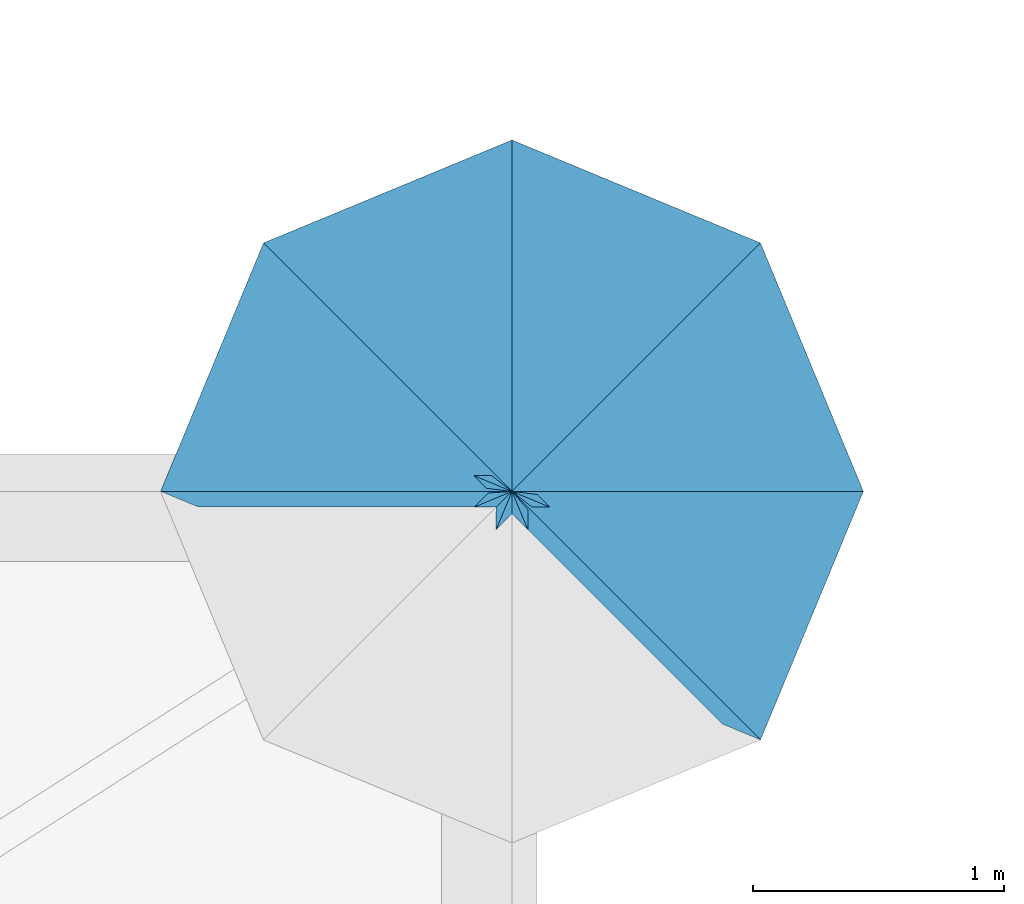
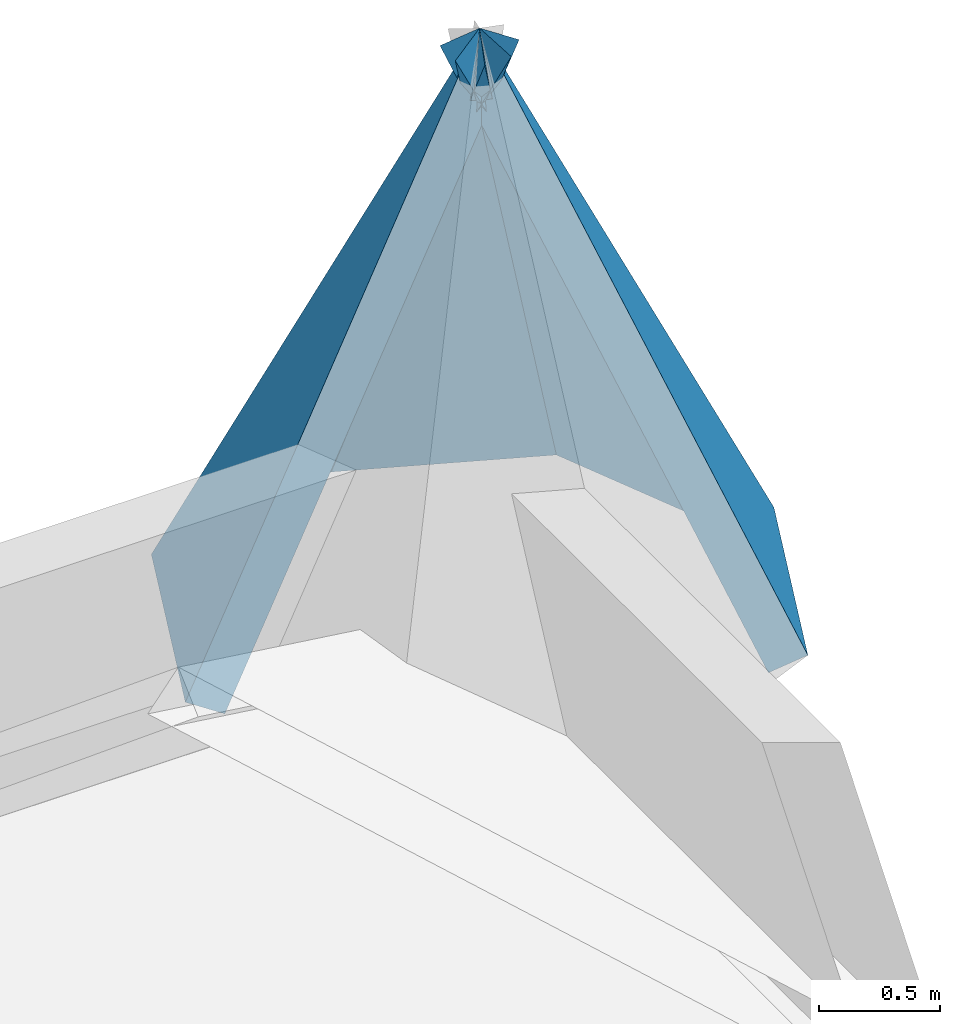
# One storey, part 26 of 28: 5 roofs.
"""IFC4 building model written with IfcOpenShell, lengths in metres."""

from ifc_helpers import new_model, si_unit, direction, frame, origin, place, context, subcontext, project, spatial, polyline, outline, extrude, material, layer, layer_set, type_object, element, save


model = new_model("IFC4")

# Units and contexts
model_context = context("Model", 3, precision=1e-05, world=origin(), true_north=direction((0.0, 1.0)))
body_context = subcontext(model_context, "Body", "Model", "MODEL_VIEW")
ifc_project = project(units=[si_unit("LENGTHUNIT", "METRE"), si_unit("AREAUNIT", "SQUARE_METRE"), si_unit("VOLUMEUNIT", "CUBIC_METRE"), si_unit("PLANEANGLEUNIT", "RADIAN"), si_unit("MASSUNIT", "GRAM", prefix="KILO")], contexts=[model_context])

# Site, building, storey
site_placement = place(None, origin())
site = spatial("IfcSite", under=ifc_project, at=site_placement, CompositionType="ELEMENT")
building_placement = place(site_placement, origin())
building = spatial("IfcBuilding", under=site, at=building_placement, Name="Yeouljin Market Hall", CompositionType="ELEMENT")
storey_placement = place(building_placement, frame((0.0, 0.0, 15.0)))
storey = spatial("IfcBuildingStorey", under=building, at=storey_placement, Name="L03", CompositionType="ELEMENT", Elevation=15.0)

# Roofs
ifc_material = material(Name="Standing Seam Patinated Copper")
ifc_layer = layer(ifc_material, 0.199951171875)
ifc_layer_set = layer_set([ifc_layer], Name="Standing Seam Patinated Copper")
roof_type = type_object("IfcRoofType", Name="Roof_Turret_Pavilion", PredefinedType="PAVILION_ROOF", material=ifc_layer_set)
roof_1_placement = place(storey_placement, frame((158.739990234375, 88.800048828125, 2.949951171875), z_axis=(0.84377922367, 0.349458637529, 0.407326996845), x_axis=(0.434736344275, 0.0, -0.900557777695)))
element("IfcRoof", 1, at=roof_1_placement, inside=storey, type_object=roof_type, Name="Corner turret roof facet C4-PROW-1", PredefinedType="PAVILION_ROOF", context=body_context, shape_type="SweptSolid", body=[
    extrude(outline(polyline([(0.0, 0.0), (3.2201180374830187, -5.551115123125783e-17), (3.0419143455791953, 1.056346870917642), (0.0, 0.0)])), origin(), (0.0, 0.0, -1.0), 0.179931640625),
])
roof_2_placement = place(storey_placement, frame((158.739990234375, 88.800048828125, 2.949951171875), z_axis=(0.349565647581, 0.843743274371, 0.407309642637), x_axis=(0.307439833518, 0.30736401605, -0.900559887183)))
element("IfcRoof", 2, at=roof_2_placement, inside=storey, type_object=roof_type, Name="Corner turret roof facet C4-PROW-2", PredefinedType="PAVILION_ROOF", context=body_context, shape_type="SweptSolid", body=[
    extrude(outline(polyline([(0.0, 0.0), (3.2201104946162946, 2.220446049250313e-16), (3.0418153339834193, 1.0566549338676405), (0.0, 0.0)])), origin(), (0.0, 0.0, -1.0), 0.179931640625),
])
roof_3_placement = place(storey_placement, frame((158.739990234375, 88.800048828125, 2.949951171875), z_axis=(-0.349565647581, 0.843743274371, 0.407309642637), x_axis=(0.0, 0.434736344275, -0.900557777695)))
element("IfcRoof", 3, at=roof_3_placement, inside=storey, type_object=roof_type, Name="Corner turret roof facet C4-PROW-3", PredefinedType="PAVILION_ROOF", context=body_context, shape_type="SweptSolid", body=[
    extrude(outline(polyline([(0.0, 0.0), (3.2201180374830187, 5.551115123125783e-17), (3.041808208776394, 1.0566524587387018), (0.0, 0.0)])), origin(), (0.0, 0.0, -1.0), 0.179931640625),
])
roof_4_placement = place(storey_placement, frame((158.739990234375, 88.800048828125, 2.949951171875), z_axis=(-0.84377922367, 0.349458637529, 0.407326996845), x_axis=(-0.307439833518, 0.30736401605, -0.900559887183)))
element("IfcRoof", 4, at=roof_4_placement, inside=storey, type_object=roof_type, Name="Corner turret roof facet C4-PROW-4", PredefinedType="PAVILION_ROOF", context=body_context, shape_type="SweptSolid", body=[
    extrude(outline(polyline([(0.0, 0.0), (3.2201104946162946, -5.551115123125783e-17), (3.0419214710348386, 1.056349345330764), (0.0, 0.0)])), origin(), (0.0, 0.0, -1.0), 0.179931640625),
])
roof_5_placement = place(storey_placement, frame((158.739990234375, 88.800048828125, 2.949951171875), z_axis=(0.843804633139, -0.349382978802, 0.407339263043), x_axis=(0.307432668442, -0.307432668442, -0.900538899076)))
element("IfcRoof", 5, at=roof_5_placement, inside=storey, type_object=roof_type, Name="Corner turret roof facet C4-PROW-8", PredefinedType="PAVILION_ROOF", context=body_context, shape_type="SweptSolid", body=[
    extrude(outline(polyline([(0.0, 0.0), (3.2201855430397917, 5.551115123125783e-17), (3.041850577166223, 1.0565534730987367), (0.0, 0.0)])), origin(), (0.0, 0.0, -1.0), 0.179931640625),
])

save(model, "model.ifc")
